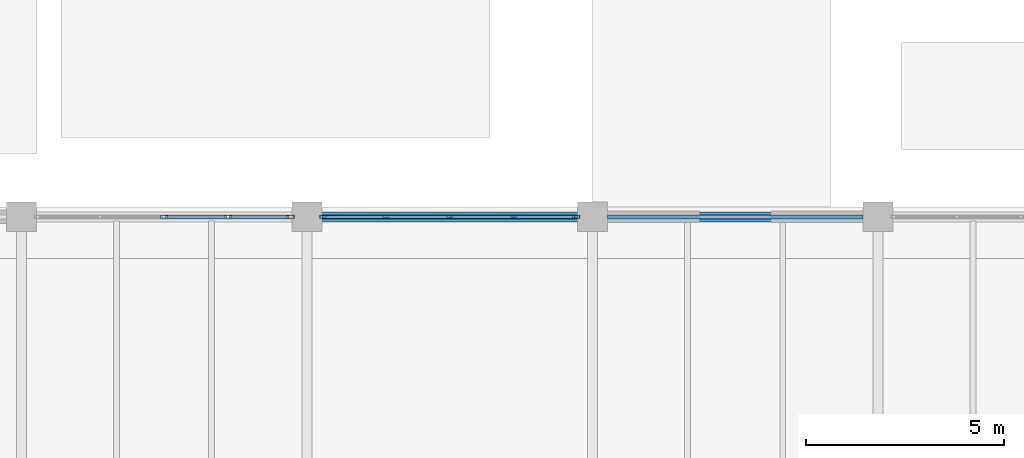
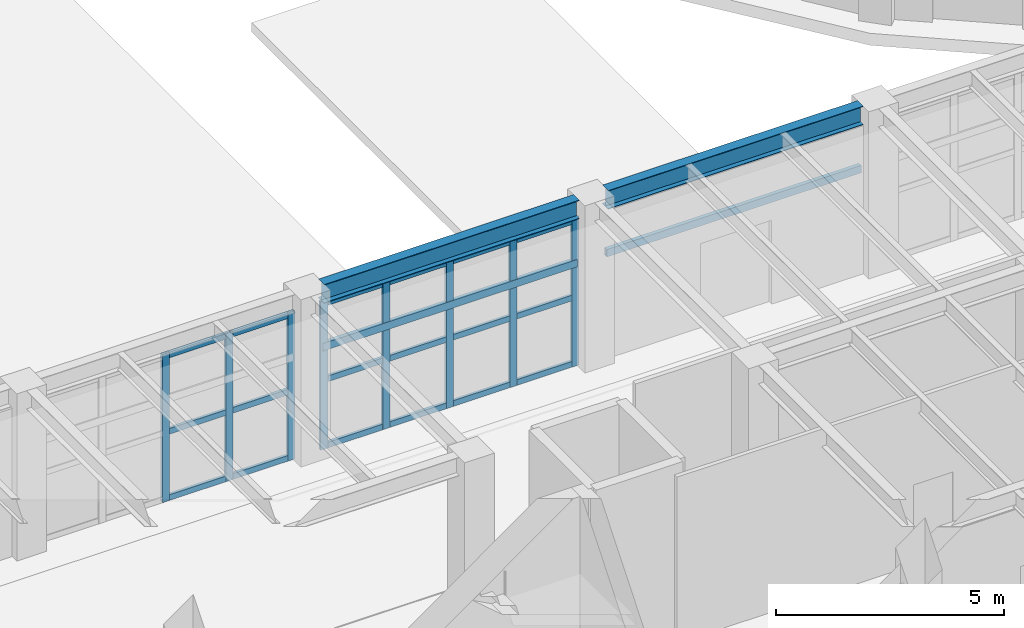
# One storey, part 13 of 39: 26 members, 4 beams, 2 elements without a shape of their own.
"""IFC4 building model written with IfcOpenShell, lengths in metres."""

from ifc_helpers import new_model, si_unit, direction, frame, origin, origin_2d, place, context, subcontext, project, spatial, hollow_rectangle, i_section, extrude, material, layer, layer_set, material_profile, profile_set, type_object, element, aggregate, save


model = new_model("IFC4")

# Units and contexts
model_context = context("Model", 3, precision=1e-05, world=origin(), true_north=direction((0.0, 1.0)))
body_context = subcontext(model_context, "Body", "Model", "MODEL_VIEW")
ifc_project = project(units=[si_unit("LENGTHUNIT", "METRE"), si_unit("AREAUNIT", "SQUARE_METRE"), si_unit("VOLUMEUNIT", "CUBIC_METRE"), si_unit("PLANEANGLEUNIT", "RADIAN"), si_unit("MASSUNIT", "GRAM", prefix="KILO")], contexts=[model_context])

# Site, building, storey
site_placement = place(None, origin())
site = spatial("IfcSite", under=ifc_project, at=site_placement, CompositionType="ELEMENT")
building_placement = place(site_placement, origin())
building = spatial("IfcBuilding", under=site, at=building_placement, Name="Kandorven Conservatory and Botanical Research Centre", CompositionType="ELEMENT")
storey_placement = place(building_placement, origin())
storey = spatial("IfcBuildingStorey", under=building, at=storey_placement, Name="L00", CompositionType="ELEMENT", Elevation=0.0)

# Beams
ifc_material_1 = material(Name="Steel S355 (IS 2062 E350)", Category="steel")
ifc_material_profile_1 = material_profile(ifc_material_1, i_section(OverallWidth=0.25, OverallDepth=0.5, WebThickness=0.010009765625, FlangeThickness=0.0146484375, at=origin_2d()))
ifc_profile_set_1 = profile_set([ifc_material_profile_1], Name="Steel S355 (IS 2062 E350)")
beam_type_1 = type_object("IfcBeamType", Name="Beam_FG-02", PredefinedType="USERDEFINED", material=ifc_profile_set_1)
beam_1_placement = place(storey_placement, frame((56.764892578125, 27.60009765625, 4.22998046875), z_axis=(1.0, 0.0, 0.0), x_axis=(0.0, 1.0, 0.0)))
element("IfcBeam", 1, at=beam_1_placement, inside=storey, type_object=beam_type_1, Name="Primary girder FG-02 VIS L00", ObjectType="GIRDER", PredefinedType="USERDEFINED", context=body_context, shape_type="SweptSolid", body=[
    extrude(i_section(OverallWidth=0.25, OverallDepth=0.5, WebThickness=0.010009765625, FlangeThickness=0.0146484375, at=origin_2d()), origin(), (0.0, 0.0, 1.0), 6.47021484375),
])
beam_2_placement = place(storey_placement, frame((63.965087890625, 27.60009765625, 4.22998046875), z_axis=(1.0, 0.0, 0.0), x_axis=(0.0, 1.0, 0.0)))
element("IfcBeam", 2, at=beam_2_placement, inside=storey, type_object=beam_type_1, Name="Primary girder FG-02 VIS L00", ObjectType="GIRDER", PredefinedType="USERDEFINED", context=body_context, shape_type="SweptSolid", body=[
    extrude(i_section(OverallWidth=0.25, OverallDepth=0.5, WebThickness=0.010009765625, FlangeThickness=0.0146484375, at=origin_2d()), origin(), (0.0, 0.0, 1.0), 6.469970703125),
])
ifc_material_2 = material(Name="Steel S355 (IS 2062 E350)", Category="steel")
ifc_material_profile_2 = material_profile(ifc_material_2, hollow_rectangle(XDim=0.10009765625, YDim=0.199951171875, WallThickness=0.008056640625, at=origin_2d()))
ifc_profile_set_2 = profile_set([ifc_material_profile_2], Name="Steel S355 (IS 2062 E350)")
beam_type_2 = type_object("IfcBeamType", Name="Beam_LN-01", PredefinedType="LINTEL", material=ifc_profile_set_2)
beam_3_placement = place(storey_placement, frame((56.77490234375, 27.60009765625, 2.75), z_axis=(1.0, 0.0, 0.0), x_axis=(0.0, 1.0, 0.0)))
element("IfcBeam", 3, at=beam_3_placement, inside=storey, type_object=beam_type_2, Name="Column-to-column opening transom lintel LN-01 L00-3-2", PredefinedType="LINTEL", context=body_context, shape_type="SweptSolid", body=[
    extrude(hollow_rectangle(XDim=0.10009765625, YDim=0.199951171875, WallThickness=0.008056640625, at=origin_2d()), origin(), (0.0, 0.0, 1.0), 6.4501953125),
])
beam_4_placement = place(storey_placement, frame((63.97509765625, 27.60009765625, 2.75), z_axis=(1.0, 0.0, 0.0), x_axis=(0.0, 1.0, 0.0)))
element("IfcBeam", 4, at=beam_4_placement, inside=storey, type_object=beam_type_2, Name="Column-to-column opening transom lintel LN-01 L00-4-2", PredefinedType="LINTEL", context=body_context, shape_type="SweptSolid", body=[
    extrude(hollow_rectangle(XDim=0.10009765625, YDim=0.199951171875, WallThickness=0.008056640625, at=origin_2d()), origin(), (0.0, 0.0, 1.0), 6.449951171875),
])

# Curtain wall, members
ifc_material_3 = material(Name="Bronze anodised thermally broken aluminium", Category="aluminium")
ifc_layer = layer(ifc_material_3, 0.179931640625)
ifc_layer_set = layer_set([ifc_layer], Name="Bronze anodised thermally broken aluminium")
curtain_wall_type = type_object("IfcCurtainWallType", Name="CW_Unitised", PredefinedType="USERDEFINED", material=ifc_layer_set)
curtain_wall_1_placement = place(storey_placement, origin())
curtain_wall_1 = element("IfcCurtainWall", 5, at=curtain_wall_1_placement, inside=storey, type_object=curtain_wall_type, Name="Visitor wing unitised curtain wall CW-VIS-N-L00-2", ObjectType="UNITISED GLAZING", PredefinedType="USERDEFINED")
ifc_material_4 = material(Name="Bronze anodised thermally broken aluminium", Category="aluminium")
ifc_material_profile_3 = material_profile(ifc_material_4, hollow_rectangle(XDim=0.080078125, YDim=0.179931640625, WallThickness=0.006103515625, at=origin_2d()))
ifc_profile_set_3 = profile_set([ifc_material_profile_3], Name="Bronze anodised thermally broken aluminium")
member_type_1 = type_object("IfcMemberType", Name="CW_Mullion", PredefinedType="MULLION", material=ifc_profile_set_3)
member_1_placement = place(storey_placement, frame((52.800048828125, 27.60009765625, 0.0), z_axis=(0.0, 0.0, 1.0), x_axis=(0.0, 1.0, 0.0)))
member_1 = element("IfcMember", 6, at=member_1_placement, type_object=member_type_1, Name="CW-01 mullion 3", PredefinedType="MULLION", context=body_context, shape_type="SweptSolid", body=[
    extrude(hollow_rectangle(XDim=0.080078125, YDim=0.179931640625, WallThickness=0.006103515625, at=origin_2d()), origin(), (0.0, 0.0, 1.0), 3.969970703125),
])
member_2_placement = place(storey_placement, frame((54.41259765625, 27.60009765625, 0.0), z_axis=(0.0, 0.0, 1.0), x_axis=(0.0, 1.0, 0.0)))
member_2 = element("IfcMember", 7, at=member_2_placement, type_object=member_type_1, Name="CW-01 mullion 4", PredefinedType="MULLION", context=body_context, shape_type="SweptSolid", body=[
    extrude(hollow_rectangle(XDim=0.080078125, YDim=0.179931640625, WallThickness=0.006103515625, at=origin_2d()), origin(), (0.0, 0.0, 1.0), 3.969970703125),
])
member_3_placement = place(storey_placement, frame((55.985107421875, 27.60009765625, 0.0), z_axis=(0.0, 0.0, 1.0), x_axis=(0.0, 1.0, 0.0)))
member_3 = element("IfcMember", 8, at=member_3_placement, type_object=member_type_1, Name="CW-01 mullion 5", PredefinedType="MULLION", context=body_context, shape_type="SweptSolid", body=[
    extrude(hollow_rectangle(XDim=0.080078125, YDim=0.179931640625, WallThickness=0.006103515625, at=origin_2d()), origin(), (0.0, 0.0, 1.0), 3.969970703125),
])

curtain_wall_2_placement = place(storey_placement, origin())
curtain_wall_2 = element("IfcCurtainWall", 9, at=curtain_wall_2_placement, inside=storey, type_object=curtain_wall_type, Name="Visitor wing unitised curtain wall CW-VIS-N-L00-3", ObjectType="UNITISED GLAZING", PredefinedType="USERDEFINED")
member_4_placement = place(storey_placement, frame((56.81494140625, 27.60009765625, 0.0), z_axis=(0.0, 0.0, 1.0), x_axis=(0.0, 1.0, 0.0)))
member_4 = element("IfcMember", 10, at=member_4_placement, type_object=member_type_1, Name="CW-01 mullion 1", PredefinedType="MULLION", context=body_context, shape_type="SweptSolid", body=[
    extrude(hollow_rectangle(XDim=0.080078125, YDim=0.179931640625, WallThickness=0.006103515625, at=origin_2d()), origin(), (0.0, 0.0, 1.0), 3.969970703125),
])
member_5_placement = place(storey_placement, frame((58.387451171875, 27.60009765625, 0.0), z_axis=(0.0, 0.0, 1.0), x_axis=(0.0, 1.0, 0.0)))
member_5 = element("IfcMember", 11, at=member_5_placement, type_object=member_type_1, Name="CW-01 mullion 2", PredefinedType="MULLION", context=body_context, shape_type="SweptSolid", body=[
    extrude(hollow_rectangle(XDim=0.080078125, YDim=0.179931640625, WallThickness=0.006103515625, at=origin_2d()), origin(), (0.0, 0.0, 1.0), 3.969970703125),
])
member_6_placement = place(storey_placement, frame((60.0, 27.60009765625, 0.0), z_axis=(0.0, 0.0, 1.0), x_axis=(0.0, 1.0, 0.0)))
member_6 = element("IfcMember", 12, at=member_6_placement, type_object=member_type_1, Name="CW-01 mullion 3", PredefinedType="MULLION", context=body_context, shape_type="SweptSolid", body=[
    extrude(hollow_rectangle(XDim=0.080078125, YDim=0.179931640625, WallThickness=0.006103515625, at=origin_2d()), origin(), (0.0, 0.0, 1.0), 3.969970703125),
])
member_7_placement = place(storey_placement, frame((61.612548828125, 27.60009765625, 0.0), z_axis=(0.0, 0.0, 1.0), x_axis=(0.0, 1.0, 0.0)))
member_7 = element("IfcMember", 13, at=member_7_placement, type_object=member_type_1, Name="CW-01 mullion 4", PredefinedType="MULLION", context=body_context, shape_type="SweptSolid", body=[
    extrude(hollow_rectangle(XDim=0.080078125, YDim=0.179931640625, WallThickness=0.006103515625, at=origin_2d()), origin(), (0.0, 0.0, 1.0), 3.969970703125),
])
member_8_placement = place(storey_placement, frame((63.18505859375, 27.60009765625, 0.0), z_axis=(0.0, 0.0, 1.0), x_axis=(0.0, 1.0, 0.0)))
member_8 = element("IfcMember", 14, at=member_8_placement, type_object=member_type_1, Name="CW-01 mullion 5", PredefinedType="MULLION", context=body_context, shape_type="SweptSolid", body=[
    extrude(hollow_rectangle(XDim=0.080078125, YDim=0.179931640625, WallThickness=0.006103515625, at=origin_2d()), origin(), (0.0, 0.0, 1.0), 3.969970703125),
])

# Member
ifc_material_5 = material(Name="Bronze anodised thermally broken aluminium", Category="aluminium")
ifc_material_profile_4 = material_profile(ifc_material_5, hollow_rectangle(XDim=0.074951171875, YDim=0.14990234375, WallThickness=0.006103515625, at=origin_2d()))
ifc_profile_set_4 = profile_set([ifc_material_profile_4], Name="Bronze anodised thermally broken aluminium")
member_type_2 = type_object("IfcMemberType", Name="CW_Transom", PredefinedType="USERDEFINED", material=ifc_profile_set_4)
member_9_placement = place(storey_placement, frame((52.840087890625, 27.60009765625, 0.074951171875), z_axis=(1.0, 0.0, 0.0), x_axis=(0.0, 1.0, 0.0)))
member_9 = element("IfcMember", 15, at=member_9_placement, type_object=member_type_2, Name="CW-01 transom 3.1", ObjectType="TRANSOM", PredefinedType="USERDEFINED", context=body_context, shape_type="SweptSolid", body=[
    extrude(hollow_rectangle(XDim=0.074951171875, YDim=0.14990234375, WallThickness=0.006103515625, at=origin_2d()), origin(), (0.0, 0.0, 1.0), 1.532470703125),
])

member_10_placement = place(storey_placement, frame((52.840087890625, 27.60009765625, 1.85009765625), z_axis=(1.0, 0.0, 0.0), x_axis=(0.0, 1.0, 0.0)))
member_10 = element("IfcMember", 16, at=member_10_placement, type_object=member_type_2, Name="CW-01 transom 3.2", ObjectType="TRANSOM", PredefinedType="USERDEFINED", context=body_context, shape_type="SweptSolid", body=[
    extrude(hollow_rectangle(XDim=0.074951171875, YDim=0.14990234375, WallThickness=0.006103515625, at=origin_2d()), origin(), (0.0, 0.0, 1.0), 1.532470703125),
])

member_11_placement = place(storey_placement, frame((52.840087890625, 27.60009765625, 3.89501953125), z_axis=(1.0, 0.0, 0.0), x_axis=(0.0, 1.0, 0.0)))
member_11 = element("IfcMember", 17, at=member_11_placement, type_object=member_type_2, Name="CW-01 transom 3.3", ObjectType="TRANSOM", PredefinedType="USERDEFINED", context=body_context, shape_type="SweptSolid", body=[
    extrude(hollow_rectangle(XDim=0.074951171875, YDim=0.14990234375, WallThickness=0.006103515625, at=origin_2d()), origin(), (0.0, 0.0, 1.0), 1.532470703125),
])

member_12_placement = place(storey_placement, frame((54.452392578125, 27.60009765625, 0.074951171875), z_axis=(1.0, 0.0, 0.0), x_axis=(0.0, 1.0, 0.0)))
member_12 = element("IfcMember", 18, at=member_12_placement, type_object=member_type_2, Name="CW-01 transom 4.1", ObjectType="TRANSOM", PredefinedType="USERDEFINED", context=body_context, shape_type="SweptSolid", body=[
    extrude(hollow_rectangle(XDim=0.074951171875, YDim=0.14990234375, WallThickness=0.006103515625, at=origin_2d()), origin(), (0.0, 0.0, 1.0), 1.49267578125),
])

member_13_placement = place(storey_placement, frame((54.452392578125, 27.60009765625, 1.85009765625), z_axis=(1.0, 0.0, 0.0), x_axis=(0.0, 1.0, 0.0)))
member_13 = element("IfcMember", 19, at=member_13_placement, type_object=member_type_2, Name="CW-01 transom 4.2", ObjectType="TRANSOM", PredefinedType="USERDEFINED", context=body_context, shape_type="SweptSolid", body=[
    extrude(hollow_rectangle(XDim=0.074951171875, YDim=0.14990234375, WallThickness=0.006103515625, at=origin_2d()), origin(), (0.0, 0.0, 1.0), 1.49267578125),
])

member_14_placement = place(storey_placement, frame((54.452392578125, 27.60009765625, 3.89501953125), z_axis=(1.0, 0.0, 0.0), x_axis=(0.0, 1.0, 0.0)))
member_14 = element("IfcMember", 20, at=member_14_placement, type_object=member_type_2, Name="CW-01 transom 4.3", ObjectType="TRANSOM", PredefinedType="USERDEFINED", context=body_context, shape_type="SweptSolid", body=[
    extrude(hollow_rectangle(XDim=0.074951171875, YDim=0.14990234375, WallThickness=0.006103515625, at=origin_2d()), origin(), (0.0, 0.0, 1.0), 1.49267578125),
])

aggregate(curtain_wall_1, [member_1, member_2, member_3, member_9, member_10, member_11, member_12, member_13, member_14])

member_15_placement = place(storey_placement, frame((56.85498046875, 27.60009765625, 0.074951171875), z_axis=(1.0, 0.0, 0.0), x_axis=(0.0, 1.0, 0.0)))
member_15 = element("IfcMember", 21, at=member_15_placement, type_object=member_type_2, Name="CW-01 transom 1.1", ObjectType="TRANSOM", PredefinedType="USERDEFINED", context=body_context, shape_type="SweptSolid", body=[
    extrude(hollow_rectangle(XDim=0.074951171875, YDim=0.14990234375, WallThickness=0.006103515625, at=origin_2d()), origin(), (0.0, 0.0, 1.0), 1.492431640625),
])

member_16_placement = place(storey_placement, frame((56.85498046875, 27.60009765625, 1.85009765625), z_axis=(1.0, 0.0, 0.0), x_axis=(0.0, 1.0, 0.0)))
member_16 = element("IfcMember", 22, at=member_16_placement, type_object=member_type_2, Name="CW-01 transom 1.2", ObjectType="TRANSOM", PredefinedType="USERDEFINED", context=body_context, shape_type="SweptSolid", body=[
    extrude(hollow_rectangle(XDim=0.074951171875, YDim=0.14990234375, WallThickness=0.006103515625, at=origin_2d()), origin(), (0.0, 0.0, 1.0), 1.492431640625),
])

member_17_placement = place(storey_placement, frame((56.85498046875, 27.60009765625, 3.89501953125), z_axis=(1.0, 0.0, 0.0), x_axis=(0.0, 1.0, 0.0)))
member_17 = element("IfcMember", 23, at=member_17_placement, type_object=member_type_2, Name="CW-01 transom 1.3", ObjectType="TRANSOM", PredefinedType="USERDEFINED", context=body_context, shape_type="SweptSolid", body=[
    extrude(hollow_rectangle(XDim=0.074951171875, YDim=0.14990234375, WallThickness=0.006103515625, at=origin_2d()), origin(), (0.0, 0.0, 1.0), 1.492431640625),
])

member_18_placement = place(storey_placement, frame((58.427490234375, 27.60009765625, 0.074951171875), z_axis=(1.0, 0.0, 0.0), x_axis=(0.0, 1.0, 0.0)))
member_18 = element("IfcMember", 24, at=member_18_placement, type_object=member_type_2, Name="CW-01 transom 2.1", ObjectType="TRANSOM", PredefinedType="USERDEFINED", context=body_context, shape_type="SweptSolid", body=[
    extrude(hollow_rectangle(XDim=0.074951171875, YDim=0.14990234375, WallThickness=0.006103515625, at=origin_2d()), origin(), (0.0, 0.0, 1.0), 1.532470703125),
])

member_19_placement = place(storey_placement, frame((58.427490234375, 27.60009765625, 1.85009765625), z_axis=(1.0, 0.0, 0.0), x_axis=(0.0, 1.0, 0.0)))
member_19 = element("IfcMember", 25, at=member_19_placement, type_object=member_type_2, Name="CW-01 transom 2.2", ObjectType="TRANSOM", PredefinedType="USERDEFINED", context=body_context, shape_type="SweptSolid", body=[
    extrude(hollow_rectangle(XDim=0.074951171875, YDim=0.14990234375, WallThickness=0.006103515625, at=origin_2d()), origin(), (0.0, 0.0, 1.0), 1.532470703125),
])

member_20_placement = place(storey_placement, frame((58.427490234375, 27.60009765625, 3.89501953125), z_axis=(1.0, 0.0, 0.0), x_axis=(0.0, 1.0, 0.0)))
member_20 = element("IfcMember", 26, at=member_20_placement, type_object=member_type_2, Name="CW-01 transom 2.3", ObjectType="TRANSOM", PredefinedType="USERDEFINED", context=body_context, shape_type="SweptSolid", body=[
    extrude(hollow_rectangle(XDim=0.074951171875, YDim=0.14990234375, WallThickness=0.006103515625, at=origin_2d()), origin(), (0.0, 0.0, 1.0), 1.532470703125),
])

member_21_placement = place(storey_placement, frame((60.0400390625, 27.60009765625, 0.074951171875), z_axis=(1.0, 0.0, 0.0), x_axis=(0.0, 1.0, 0.0)))
member_21 = element("IfcMember", 27, at=member_21_placement, type_object=member_type_2, Name="CW-01 transom 3.1", ObjectType="TRANSOM", PredefinedType="USERDEFINED", context=body_context, shape_type="SweptSolid", body=[
    extrude(hollow_rectangle(XDim=0.074951171875, YDim=0.14990234375, WallThickness=0.006103515625, at=origin_2d()), origin(), (0.0, 0.0, 1.0), 1.532470703125),
])

member_22_placement = place(storey_placement, frame((60.0400390625, 27.60009765625, 1.85009765625), z_axis=(1.0, 0.0, 0.0), x_axis=(0.0, 1.0, 0.0)))
member_22 = element("IfcMember", 28, at=member_22_placement, type_object=member_type_2, Name="CW-01 transom 3.2", ObjectType="TRANSOM", PredefinedType="USERDEFINED", context=body_context, shape_type="SweptSolid", body=[
    extrude(hollow_rectangle(XDim=0.074951171875, YDim=0.14990234375, WallThickness=0.006103515625, at=origin_2d()), origin(), (0.0, 0.0, 1.0), 1.532470703125),
])

member_23_placement = place(storey_placement, frame((60.0400390625, 27.60009765625, 3.89501953125), z_axis=(1.0, 0.0, 0.0), x_axis=(0.0, 1.0, 0.0)))
member_23 = element("IfcMember", 29, at=member_23_placement, type_object=member_type_2, Name="CW-01 transom 3.3", ObjectType="TRANSOM", PredefinedType="USERDEFINED", context=body_context, shape_type="SweptSolid", body=[
    extrude(hollow_rectangle(XDim=0.074951171875, YDim=0.14990234375, WallThickness=0.006103515625, at=origin_2d()), origin(), (0.0, 0.0, 1.0), 1.532470703125),
])

member_24_placement = place(storey_placement, frame((61.652587890625, 27.60009765625, 0.074951171875), z_axis=(1.0, 0.0, 0.0), x_axis=(0.0, 1.0, 0.0)))
member_24 = element("IfcMember", 30, at=member_24_placement, type_object=member_type_2, Name="CW-01 transom 4.1", ObjectType="TRANSOM", PredefinedType="USERDEFINED", context=body_context, shape_type="SweptSolid", body=[
    extrude(hollow_rectangle(XDim=0.074951171875, YDim=0.14990234375, WallThickness=0.006103515625, at=origin_2d()), origin(), (0.0, 0.0, 1.0), 1.492431640625),
])

member_25_placement = place(storey_placement, frame((61.652587890625, 27.60009765625, 1.85009765625), z_axis=(1.0, 0.0, 0.0), x_axis=(0.0, 1.0, 0.0)))
member_25 = element("IfcMember", 31, at=member_25_placement, type_object=member_type_2, Name="CW-01 transom 4.2", ObjectType="TRANSOM", PredefinedType="USERDEFINED", context=body_context, shape_type="SweptSolid", body=[
    extrude(hollow_rectangle(XDim=0.074951171875, YDim=0.14990234375, WallThickness=0.006103515625, at=origin_2d()), origin(), (0.0, 0.0, 1.0), 1.492431640625),
])

member_26_placement = place(storey_placement, frame((61.652587890625, 27.60009765625, 3.89501953125), z_axis=(1.0, 0.0, 0.0), x_axis=(0.0, 1.0, 0.0)))
member_26 = element("IfcMember", 32, at=member_26_placement, type_object=member_type_2, Name="CW-01 transom 4.3", ObjectType="TRANSOM", PredefinedType="USERDEFINED", context=body_context, shape_type="SweptSolid", body=[
    extrude(hollow_rectangle(XDim=0.074951171875, YDim=0.14990234375, WallThickness=0.006103515625, at=origin_2d()), origin(), (0.0, 0.0, 1.0), 1.492431640625),
])

aggregate(curtain_wall_2, [member_4, member_5, member_6, member_7, member_8, member_15, member_16, member_17, member_18, member_19, member_20, member_21, member_22, member_23, member_24, member_25, member_26])

save(model, "model.ifc")
